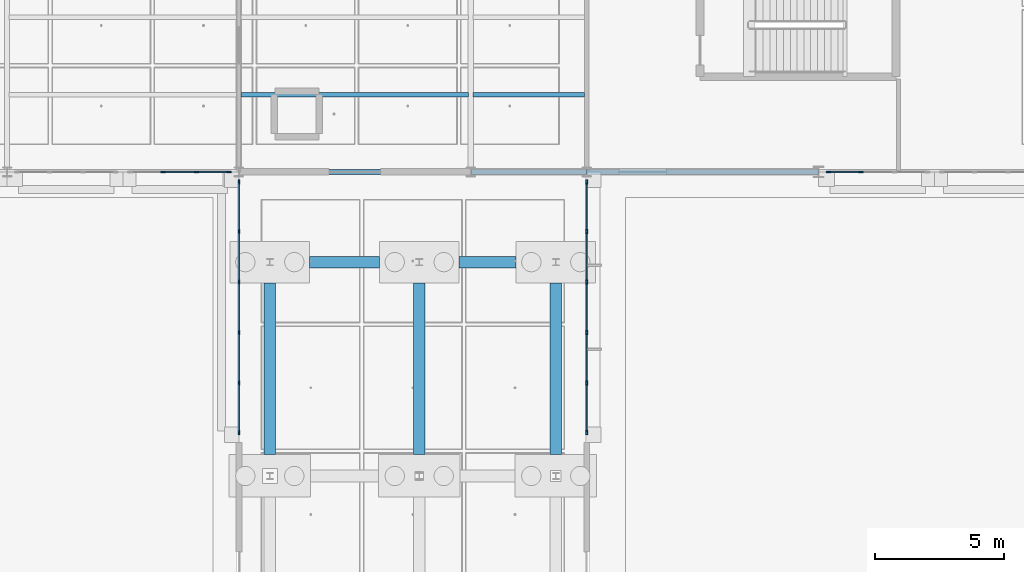
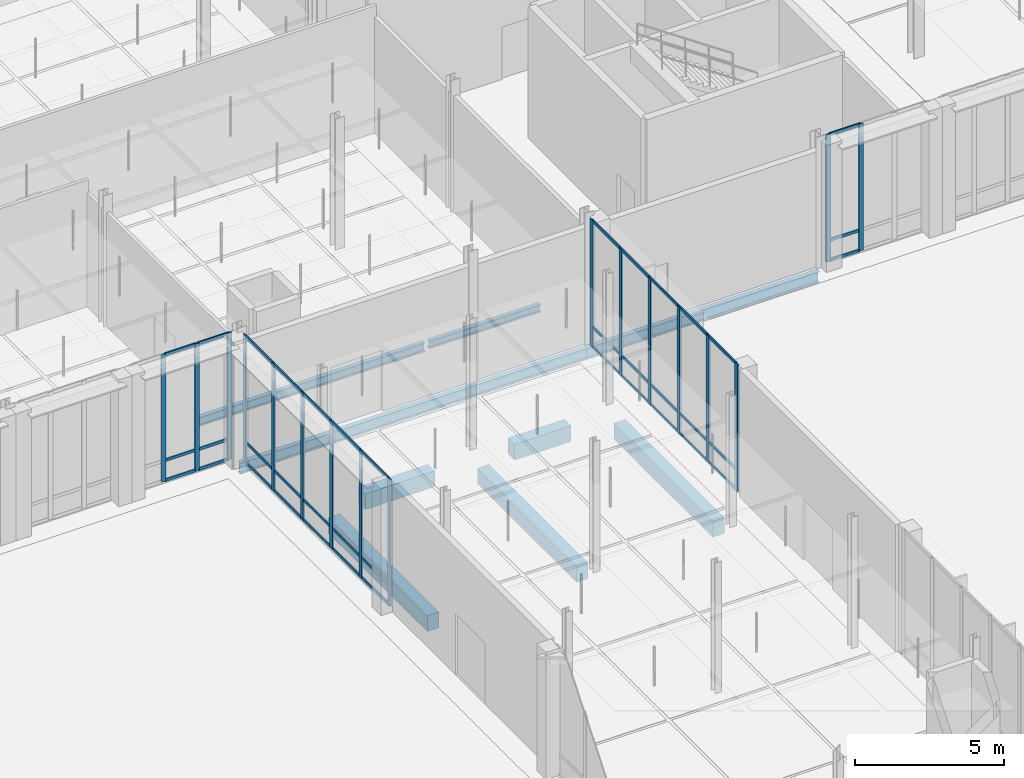
# One storey, part 57 of 180: 56 members, 10 beams, 4 elements without a shape of their own.
"""IFC4 building model written with IfcOpenShell, lengths in metres."""

from ifc_helpers import new_model, si_unit, direction, frame, origin, origin_2d, place, context, subcontext, project, spatial, rectangle, i_section, extrude, material, material_profile, profile_set, type_object, element, aggregate, save


model = new_model("IFC4")

# Units and contexts
model_context = context("Model", 3, precision=1e-05, world=origin(), true_north=direction((0.0, 1.0)))
body_context = subcontext(model_context, "Body", "Model", "MODEL_VIEW")
ifc_project = project(units=[si_unit("LENGTHUNIT", "METRE"), si_unit("AREAUNIT", "SQUARE_METRE"), si_unit("VOLUMEUNIT", "CUBIC_METRE"), si_unit("PLANEANGLEUNIT", "RADIAN"), si_unit("MASSUNIT", "GRAM", prefix="KILO"), si_unit("THERMODYNAMICTEMPERATUREUNIT", "KELVIN"), si_unit("POWERUNIT", "WATT")], contexts=[model_context])

# Site, building, storey
site_placement = place(None, origin())
site = spatial("IfcSite", under=ifc_project, at=site_placement, CompositionType="ELEMENT")
building_placement = place(site_placement, origin())
building = spatial("IfcBuilding", under=site, at=building_placement, Name="Tallowbark Science Centre", CompositionType="ELEMENT")
storey_placement = place(building_placement, origin())
storey = spatial("IfcBuildingStorey", under=building, at=storey_placement, Name="L00", CompositionType="ELEMENT", Elevation=0.0)

# Beams
ifc_material_1 = material(Name="Concrete Grade N40 (40 MPa)", Category="concrete")
ifc_material_profile_1 = material_profile(ifc_material_1, rectangle(XDim=0.449951171875, YDim=0.64990234375, at=origin_2d()), Name="RC450x650")
ifc_profile_set_1 = profile_set([ifc_material_profile_1], Name="Concrete Grade N40 (40 MPa)")
beam_type_1 = type_object("IfcBeamType", Name="BM-GB2-N40", PredefinedType="BEAM", material=ifc_profile_set_1)
beam_1_placement = place(storey_placement, frame((101.75, 68.5, -0.5849609375), z_axis=(1.0, 0.0, 0.0), x_axis=(0.0, 1.0, 0.0)))
element("IfcBeam", 1, at=beam_1_placement, inside=storey, type_object=beam_type_1, Name="Ground Tie Beam GBT-X-298", PredefinedType="BEAM", context=body_context, shape_type="SweptSolid", body=[
    extrude(rectangle(XDim=0.449951171875, YDim=0.64990234375, at=origin_2d()), origin(), (0.0, 0.0, 1.0), 2.699951171875),
])
beam_2_placement = place(storey_placement, frame((107.550048828125, 68.5, -0.5849609375), z_axis=(1.0, 0.0, 0.0), x_axis=(0.0, 1.0, 0.0)))
element("IfcBeam", 2, at=beam_2_placement, inside=storey, type_object=beam_type_1, Name="Ground Tie Beam GBT-X-299", PredefinedType="BEAM", context=body_context, shape_type="SweptSolid", body=[
    extrude(rectangle(XDim=0.449951171875, YDim=0.64990234375, at=origin_2d()), origin(), (0.0, 0.0, 1.0), 2.199951171875),
])
for number, where, z_axis, x_axis, name in (
    (3, (100.199951171875, 61.02490234375, -0.5849609375), (0.0, 1.0, 0.0), (-1.0, 0.0, 0.0), "Ground Tie Beam GBT-Y-349"),
    (4, (106.0, 61.02490234375, -0.5849609375), (0.0, 1.0, 0.0), (-1.0, 0.0, 0.0), "Ground Tie Beam GBT-Y-352"),
    (5, (111.300048828125, 61.02490234375, -0.5849609375), (0.0, 1.0, 0.0), (-1.0, 0.0, 0.0), "Ground Tie Beam GBT-Y-355"),
):
    element("IfcBeam", number, at=place(storey_placement, frame(where, z_axis=z_axis, x_axis=x_axis)), inside=storey, type_object=beam_type_1, Name=name, PredefinedType="BEAM", context=body_context, shape_type="SweptSolid", body=[
        extrude(rectangle(XDim=0.449951171875, YDim=0.64990234375, at=origin_2d()), origin(), (0.0, 0.0, 1.0), 6.675048828125),
    ])

# Curtain wall, members
ifc_material_2 = material(Name="Unitised Thermally Broken Aluminium and Low-E Double Glazing", Category="aluminium")
curtain_wall_type = type_object("IfcCurtainWallType", Name="CW-SYS-FACADE", PredefinedType="NOTDEFINED", material=ifc_material_2)
curtain_wall_1_placement = place(storey_placement, origin())
curtain_wall_1 = element("IfcCurtainWall", 6, at=curtain_wall_1_placement, inside=storey, type_object=curtain_wall_type, Name="Unitised Curtain Wall LNK-W-2 CW-L00-008", PredefinedType="NOTDEFINED")
ifc_material_3 = material(Name="Anodised Architectural Aluminium Alloy 6063-T6", Category="aluminium")
ifc_material_profile_2 = material_profile(ifc_material_3, rectangle(XDim=0.06494140625, YDim=0.179931640625, at=origin_2d()), Name="ALU65x180")
ifc_profile_set_2 = profile_set([ifc_material_profile_2], Name="Anodised Architectural Aluminium Alloy 6063-T6")
member_type_1 = type_object("IfcMemberType", Name="CWM-MUL-220", PredefinedType="MULLION", material=ifc_profile_set_2)
member_1_placement = place(storey_placement, frame((99.0, 71.617431640625, 0.0), z_axis=(0.0, 0.0, 1.0), x_axis=(1.0, 0.0, 0.0)))
member_1 = element("IfcMember", 7, at=member_1_placement, type_object=member_type_1, Name="CW-01 mullion 1", PredefinedType="MULLION", context=body_context, shape_type="SweptSolid", body=[
    extrude(rectangle(XDim=0.06494140625, YDim=0.179931640625, at=origin_2d()), origin(), (0.0, 0.0, 1.0), 5.219970703125),
])
member_2_placement = place(storey_placement, frame((99.0, 69.68994140625, 0.0), z_axis=(0.0, 0.0, 1.0), x_axis=(1.0, 0.0, 0.0)))
member_2 = element("IfcMember", 8, at=member_2_placement, type_object=member_type_1, Name="CW-01 mullion 2", PredefinedType="MULLION", context=body_context, shape_type="SweptSolid", body=[
    extrude(rectangle(XDim=0.06494140625, YDim=0.179931640625, at=origin_2d()), origin(), (0.0, 0.0, 1.0), 5.219970703125),
])
member_3_placement = place(storey_placement, frame((99.0, 67.72998046875, 0.0), z_axis=(0.0, 0.0, 1.0), x_axis=(1.0, 0.0, 0.0)))
member_3 = element("IfcMember", 9, at=member_3_placement, type_object=member_type_1, Name="CW-01 mullion 3", PredefinedType="MULLION", context=body_context, shape_type="SweptSolid", body=[
    extrude(rectangle(XDim=0.06494140625, YDim=0.179931640625, at=origin_2d()), origin(), (0.0, 0.0, 1.0), 5.219970703125),
])
member_4_placement = place(storey_placement, frame((99.0, 65.77001953125, 0.0), z_axis=(0.0, 0.0, 1.0), x_axis=(1.0, 0.0, 0.0)))
member_4 = element("IfcMember", 10, at=member_4_placement, type_object=member_type_1, Name="CW-01 mullion 4", PredefinedType="MULLION", context=body_context, shape_type="SweptSolid", body=[
    extrude(rectangle(XDim=0.06494140625, YDim=0.179931640625, at=origin_2d()), origin(), (0.0, 0.0, 1.0), 5.219970703125),
])
member_5_placement = place(storey_placement, frame((99.0, 63.81005859375, 0.0), z_axis=(0.0, 0.0, 1.0), x_axis=(1.0, 0.0, 0.0)))
member_5 = element("IfcMember", 11, at=member_5_placement, type_object=member_type_1, Name="CW-01 mullion 5", PredefinedType="MULLION", context=body_context, shape_type="SweptSolid", body=[
    extrude(rectangle(XDim=0.06494140625, YDim=0.179931640625, at=origin_2d()), origin(), (0.0, 0.0, 1.0), 5.219970703125),
])
member_6_placement = place(storey_placement, frame((99.0, 61.882568359375, 0.0), z_axis=(0.0, 0.0, 1.0), x_axis=(1.0, 0.0, 0.0)))
member_6 = element("IfcMember", 12, at=member_6_placement, type_object=member_type_1, Name="CW-01 mullion 6", PredefinedType="MULLION", context=body_context, shape_type="SweptSolid", body=[
    extrude(rectangle(XDim=0.06494140625, YDim=0.179931640625, at=origin_2d()), origin(), (0.0, 0.0, 1.0), 5.219970703125),
])

curtain_wall_2_placement = place(storey_placement, origin())
curtain_wall_2 = element("IfcCurtainWall", 13, at=curtain_wall_2_placement, inside=storey, type_object=curtain_wall_type, Name="Unitised Curtain Wall LNK-E-2 CW-L00-009", PredefinedType="NOTDEFINED")
member_7_placement = place(storey_placement, frame((112.5, 61.882568359375, 0.0), z_axis=(0.0, 0.0, 1.0), x_axis=(-1.0, 0.0, 0.0)))
member_7 = element("IfcMember", 14, at=member_7_placement, type_object=member_type_1, Name="CW-01 mullion 1", PredefinedType="MULLION", context=body_context, shape_type="SweptSolid", body=[
    extrude(rectangle(XDim=0.06494140625, YDim=0.179931640625, at=origin_2d()), origin(), (0.0, 0.0, 1.0), 5.219970703125),
])
member_8_placement = place(storey_placement, frame((112.5, 63.81005859375, 0.0), z_axis=(0.0, 0.0, 1.0), x_axis=(-1.0, 0.0, 0.0)))
member_8 = element("IfcMember", 15, at=member_8_placement, type_object=member_type_1, Name="CW-01 mullion 2", PredefinedType="MULLION", context=body_context, shape_type="SweptSolid", body=[
    extrude(rectangle(XDim=0.06494140625, YDim=0.179931640625, at=origin_2d()), origin(), (0.0, 0.0, 1.0), 5.219970703125),
])
member_9_placement = place(storey_placement, frame((112.5, 65.77001953125, 0.0), z_axis=(0.0, 0.0, 1.0), x_axis=(-1.0, 0.0, 0.0)))
member_9 = element("IfcMember", 16, at=member_9_placement, type_object=member_type_1, Name="CW-01 mullion 3", PredefinedType="MULLION", context=body_context, shape_type="SweptSolid", body=[
    extrude(rectangle(XDim=0.06494140625, YDim=0.179931640625, at=origin_2d()), origin(), (0.0, 0.0, 1.0), 5.219970703125),
])
member_10_placement = place(storey_placement, frame((112.5, 67.72998046875, 0.0), z_axis=(0.0, 0.0, 1.0), x_axis=(-1.0, 0.0, 0.0)))
member_10 = element("IfcMember", 17, at=member_10_placement, type_object=member_type_1, Name="CW-01 mullion 4", PredefinedType="MULLION", context=body_context, shape_type="SweptSolid", body=[
    extrude(rectangle(XDim=0.06494140625, YDim=0.179931640625, at=origin_2d()), origin(), (0.0, 0.0, 1.0), 5.219970703125),
])
member_11_placement = place(storey_placement, frame((112.5, 69.68994140625, 0.0), z_axis=(0.0, 0.0, 1.0), x_axis=(-1.0, 0.0, 0.0)))
member_11 = element("IfcMember", 18, at=member_11_placement, type_object=member_type_1, Name="CW-01 mullion 5", PredefinedType="MULLION", context=body_context, shape_type="SweptSolid", body=[
    extrude(rectangle(XDim=0.06494140625, YDim=0.179931640625, at=origin_2d()), origin(), (0.0, 0.0, 1.0), 5.219970703125),
])
member_12_placement = place(storey_placement, frame((112.5, 71.617431640625, 0.0), z_axis=(0.0, 0.0, 1.0), x_axis=(-1.0, 0.0, 0.0)))
member_12 = element("IfcMember", 19, at=member_12_placement, type_object=member_type_1, Name="CW-01 mullion 6", PredefinedType="MULLION", context=body_context, shape_type="SweptSolid", body=[
    extrude(rectangle(XDim=0.06494140625, YDim=0.179931640625, at=origin_2d()), origin(), (0.0, 0.0, 1.0), 5.219970703125),
])

curtain_wall_3_placement = place(storey_placement, origin())
curtain_wall_3 = element("IfcCurtainWall", 20, at=curtain_wall_3_placement, inside=storey, type_object=curtain_wall_type, Name="Unitised Curtain Wall LAB-S-90B CW-L00-027", PredefinedType="NOTDEFINED")
member_13_placement = place(storey_placement, frame((96.050048828125, 72.0, 0.0), z_axis=(0.0, 0.0, 1.0), x_axis=(0.0, 1.0, 0.0)))
member_13 = element("IfcMember", 21, at=member_13_placement, type_object=member_type_1, Name="CW-01 mullion 2", PredefinedType="MULLION", context=body_context, shape_type="SweptSolid", body=[
    extrude(rectangle(XDim=0.06494140625, YDim=0.179931640625, at=origin_2d()), origin(), (0.0, 0.0, 1.0), 5.219970703125),
])
member_14_placement = place(storey_placement, frame((97.35009765625, 72.0, 0.0), z_axis=(0.0, 0.0, 1.0), x_axis=(0.0, 1.0, 0.0)))
member_14 = element("IfcMember", 22, at=member_14_placement, type_object=member_type_1, Name="CW-01 mullion 3", PredefinedType="MULLION", context=body_context, shape_type="SweptSolid", body=[
    extrude(rectangle(XDim=0.06494140625, YDim=0.179931640625, at=origin_2d()), origin(), (0.0, 0.0, 1.0), 5.219970703125),
])
member_15_placement = place(storey_placement, frame((98.617431640625, 72.0, 0.0), z_axis=(0.0, 0.0, 1.0), x_axis=(0.0, 1.0, 0.0)))
member_15 = element("IfcMember", 23, at=member_15_placement, type_object=member_type_1, Name="CW-01 mullion 4", PredefinedType="MULLION", context=body_context, shape_type="SweptSolid", body=[
    extrude(rectangle(XDim=0.06494140625, YDim=0.179931640625, at=origin_2d()), origin(), (0.0, 0.0, 1.0), 5.219970703125),
])

curtain_wall_4_placement = place(storey_placement, origin())
curtain_wall_4 = element("IfcCurtainWall", 24, at=curtain_wall_4_placement, inside=storey, type_object=curtain_wall_type, Name="Unitised Curtain Wall OBS-S-121A CW-L00-092", PredefinedType="NOTDEFINED")
member_16_placement = place(storey_placement, frame((121.882568359375, 72.0, 0.0), z_axis=(0.0, 0.0, 1.0), x_axis=(0.0, 1.0, 0.0)))
member_16 = element("IfcMember", 25, at=member_16_placement, type_object=member_type_1, Name="CW-01 mullion 1", PredefinedType="MULLION", context=body_context, shape_type="SweptSolid", body=[
    extrude(rectangle(XDim=0.06494140625, YDim=0.179931640625, at=origin_2d()), origin(), (0.0, 0.0, 1.0), 5.219970703125),
])
member_17_placement = place(storey_placement, frame((123.14990234375, 72.0, 0.0), z_axis=(0.0, 0.0, 1.0), x_axis=(0.0, 1.0, 0.0)))
member_17 = element("IfcMember", 26, at=member_17_placement, type_object=member_type_1, Name="CW-01 mullion 2", PredefinedType="MULLION", context=body_context, shape_type="SweptSolid", body=[
    extrude(rectangle(XDim=0.06494140625, YDim=0.179931640625, at=origin_2d()), origin(), (0.0, 0.0, 1.0), 5.219970703125),
])

# Member
ifc_material_profile_3 = material_profile(ifc_material_3, rectangle(XDim=0.054931640625, YDim=0.1201171875, at=origin_2d()), Name="ALU55x120")
ifc_profile_set_3 = profile_set([ifc_material_profile_3], Name="Anodised Architectural Aluminium Alloy 6063-T6")
member_type_2 = type_object("IfcMemberType", Name="CWM-TRN-150", PredefinedType="USERDEFINED", material=ifc_profile_set_3)
member_18_placement = place(storey_placement, frame((99.0, 71.5849609375, 0.027587890625), z_axis=(0.0, -1.0, 0.0), x_axis=(1.0, 0.0, 0.0)))
member_18 = element("IfcMember", 27, at=member_18_placement, type_object=member_type_2, Name="CW-01 transom 1.1", ObjectType="TRANSOM", PredefinedType="USERDEFINED", context=body_context, shape_type="SweptSolid", body=[
    extrude(rectangle(XDim=0.054931640625, YDim=0.1201171875, at=origin_2d()), origin(), (0.0, 0.0, 1.0), 1.862548828125),
])

member_19_placement = place(storey_placement, frame((99.0, 71.5849609375, 0.85009765625), z_axis=(0.0, -1.0, 0.0), x_axis=(1.0, 0.0, 0.0)))
member_19 = element("IfcMember", 28, at=member_19_placement, type_object=member_type_2, Name="CW-01 transom 1.2", ObjectType="TRANSOM", PredefinedType="USERDEFINED", context=body_context, shape_type="SweptSolid", body=[
    extrude(rectangle(XDim=0.054931640625, YDim=0.1201171875, at=origin_2d()), origin(), (0.0, 0.0, 1.0), 1.862548828125),
])

member_20_placement = place(storey_placement, frame((99.0, 71.5849609375, 5.1923828125), z_axis=(0.0, -1.0, 0.0), x_axis=(1.0, 0.0, 0.0)))
member_20 = element("IfcMember", 29, at=member_20_placement, type_object=member_type_2, Name="CW-01 transom 1.3", ObjectType="TRANSOM", PredefinedType="USERDEFINED", context=body_context, shape_type="SweptSolid", body=[
    extrude(rectangle(XDim=0.054931640625, YDim=0.1201171875, at=origin_2d()), origin(), (0.0, 0.0, 1.0), 1.862548828125),
])

member_21_placement = place(storey_placement, frame((99.0, 69.657470703125, 0.027587890625), z_axis=(0.0, -1.0, 0.0), x_axis=(1.0, 0.0, 0.0)))
member_21 = element("IfcMember", 30, at=member_21_placement, type_object=member_type_2, Name="CW-01 transom 2.1", ObjectType="TRANSOM", PredefinedType="USERDEFINED", context=body_context, shape_type="SweptSolid", body=[
    extrude(rectangle(XDim=0.054931640625, YDim=0.1201171875, at=origin_2d()), origin(), (0.0, 0.0, 1.0), 1.89501953125),
])

member_22_placement = place(storey_placement, frame((99.0, 69.657470703125, 0.85009765625), z_axis=(0.0, -1.0, 0.0), x_axis=(1.0, 0.0, 0.0)))
member_22 = element("IfcMember", 31, at=member_22_placement, type_object=member_type_2, Name="CW-01 transom 2.2", ObjectType="TRANSOM", PredefinedType="USERDEFINED", context=body_context, shape_type="SweptSolid", body=[
    extrude(rectangle(XDim=0.054931640625, YDim=0.1201171875, at=origin_2d()), origin(), (0.0, 0.0, 1.0), 1.89501953125),
])

member_23_placement = place(storey_placement, frame((99.0, 69.657470703125, 5.1923828125), z_axis=(0.0, -1.0, 0.0), x_axis=(1.0, 0.0, 0.0)))
member_23 = element("IfcMember", 32, at=member_23_placement, type_object=member_type_2, Name="CW-01 transom 2.3", ObjectType="TRANSOM", PredefinedType="USERDEFINED", context=body_context, shape_type="SweptSolid", body=[
    extrude(rectangle(XDim=0.054931640625, YDim=0.1201171875, at=origin_2d()), origin(), (0.0, 0.0, 1.0), 1.89501953125),
])

member_24_placement = place(storey_placement, frame((99.0, 67.697509765625, 0.027587890625), z_axis=(0.0, -1.0, 0.0), x_axis=(1.0, 0.0, 0.0)))
member_24 = element("IfcMember", 33, at=member_24_placement, type_object=member_type_2, Name="CW-01 transom 3.1", ObjectType="TRANSOM", PredefinedType="USERDEFINED", context=body_context, shape_type="SweptSolid", body=[
    extrude(rectangle(XDim=0.054931640625, YDim=0.1201171875, at=origin_2d()), origin(), (0.0, 0.0, 1.0), 1.89501953125),
])

member_25_placement = place(storey_placement, frame((99.0, 67.697509765625, 0.85009765625), z_axis=(0.0, -1.0, 0.0), x_axis=(1.0, 0.0, 0.0)))
member_25 = element("IfcMember", 34, at=member_25_placement, type_object=member_type_2, Name="CW-01 transom 3.2", ObjectType="TRANSOM", PredefinedType="USERDEFINED", context=body_context, shape_type="SweptSolid", body=[
    extrude(rectangle(XDim=0.054931640625, YDim=0.1201171875, at=origin_2d()), origin(), (0.0, 0.0, 1.0), 1.89501953125),
])

member_26_placement = place(storey_placement, frame((99.0, 67.697509765625, 5.1923828125), z_axis=(0.0, -1.0, 0.0), x_axis=(1.0, 0.0, 0.0)))
member_26 = element("IfcMember", 35, at=member_26_placement, type_object=member_type_2, Name="CW-01 transom 3.3", ObjectType="TRANSOM", PredefinedType="USERDEFINED", context=body_context, shape_type="SweptSolid", body=[
    extrude(rectangle(XDim=0.054931640625, YDim=0.1201171875, at=origin_2d()), origin(), (0.0, 0.0, 1.0), 1.89501953125),
])

member_27_placement = place(storey_placement, frame((99.0, 65.737548828125, 0.027587890625), z_axis=(0.0, -1.0, 0.0), x_axis=(1.0, 0.0, 0.0)))
member_27 = element("IfcMember", 36, at=member_27_placement, type_object=member_type_2, Name="CW-01 transom 4.1", ObjectType="TRANSOM", PredefinedType="USERDEFINED", context=body_context, shape_type="SweptSolid", body=[
    extrude(rectangle(XDim=0.054931640625, YDim=0.1201171875, at=origin_2d()), origin(), (0.0, 0.0, 1.0), 1.89501953125),
])

member_28_placement = place(storey_placement, frame((99.0, 65.737548828125, 0.85009765625), z_axis=(0.0, -1.0, 0.0), x_axis=(1.0, 0.0, 0.0)))
member_28 = element("IfcMember", 37, at=member_28_placement, type_object=member_type_2, Name="CW-01 transom 4.2", ObjectType="TRANSOM", PredefinedType="USERDEFINED", context=body_context, shape_type="SweptSolid", body=[
    extrude(rectangle(XDim=0.054931640625, YDim=0.1201171875, at=origin_2d()), origin(), (0.0, 0.0, 1.0), 1.89501953125),
])

member_29_placement = place(storey_placement, frame((99.0, 65.737548828125, 5.1923828125), z_axis=(0.0, -1.0, 0.0), x_axis=(1.0, 0.0, 0.0)))
member_29 = element("IfcMember", 38, at=member_29_placement, type_object=member_type_2, Name="CW-01 transom 4.3", ObjectType="TRANSOM", PredefinedType="USERDEFINED", context=body_context, shape_type="SweptSolid", body=[
    extrude(rectangle(XDim=0.054931640625, YDim=0.1201171875, at=origin_2d()), origin(), (0.0, 0.0, 1.0), 1.89501953125),
])

member_30_placement = place(storey_placement, frame((99.0, 63.777587890625, 0.027587890625), z_axis=(0.0, -1.0, 0.0), x_axis=(1.0, 0.0, 0.0)))
member_30 = element("IfcMember", 39, at=member_30_placement, type_object=member_type_2, Name="CW-01 transom 5.1", ObjectType="TRANSOM", PredefinedType="USERDEFINED", context=body_context, shape_type="SweptSolid", body=[
    extrude(rectangle(XDim=0.054931640625, YDim=0.1201171875, at=origin_2d()), origin(), (0.0, 0.0, 1.0), 1.862548828125),
])

member_31_placement = place(storey_placement, frame((99.0, 63.777587890625, 0.85009765625), z_axis=(0.0, -1.0, 0.0), x_axis=(1.0, 0.0, 0.0)))
member_31 = element("IfcMember", 40, at=member_31_placement, type_object=member_type_2, Name="CW-01 transom 5.2", ObjectType="TRANSOM", PredefinedType="USERDEFINED", context=body_context, shape_type="SweptSolid", body=[
    extrude(rectangle(XDim=0.054931640625, YDim=0.1201171875, at=origin_2d()), origin(), (0.0, 0.0, 1.0), 1.862548828125),
])

member_32_placement = place(storey_placement, frame((99.0, 63.777587890625, 5.1923828125), z_axis=(0.0, -1.0, 0.0), x_axis=(1.0, 0.0, 0.0)))
member_32 = element("IfcMember", 41, at=member_32_placement, type_object=member_type_2, Name="CW-01 transom 5.3", ObjectType="TRANSOM", PredefinedType="USERDEFINED", context=body_context, shape_type="SweptSolid", body=[
    extrude(rectangle(XDim=0.054931640625, YDim=0.1201171875, at=origin_2d()), origin(), (0.0, 0.0, 1.0), 1.862548828125),
])

aggregate(curtain_wall_1, [member_1, member_2, member_3, member_4, member_5, member_6, member_18, member_19, member_20, member_21, member_22, member_23, member_24, member_25, member_26, member_27, member_28, member_29, member_30, member_31, member_32])

member_33_placement = place(storey_placement, frame((112.5, 61.9150390625, 0.027587890625), z_axis=(0.0, 1.0, 0.0), x_axis=(-1.0, 0.0, 0.0)))
member_33 = element("IfcMember", 42, at=member_33_placement, type_object=member_type_2, Name="CW-01 transom 1.1", ObjectType="TRANSOM", PredefinedType="USERDEFINED", context=body_context, shape_type="SweptSolid", body=[
    extrude(rectangle(XDim=0.054931640625, YDim=0.1201171875, at=origin_2d()), origin(), (0.0, 0.0, 1.0), 1.862548828125),
])

member_34_placement = place(storey_placement, frame((112.5, 61.9150390625, 0.85009765625), z_axis=(0.0, 1.0, 0.0), x_axis=(-1.0, 0.0, 0.0)))
member_34 = element("IfcMember", 43, at=member_34_placement, type_object=member_type_2, Name="CW-01 transom 1.2", ObjectType="TRANSOM", PredefinedType="USERDEFINED", context=body_context, shape_type="SweptSolid", body=[
    extrude(rectangle(XDim=0.054931640625, YDim=0.1201171875, at=origin_2d()), origin(), (0.0, 0.0, 1.0), 1.862548828125),
])

member_35_placement = place(storey_placement, frame((112.5, 61.9150390625, 5.1923828125), z_axis=(0.0, 1.0, 0.0), x_axis=(-1.0, 0.0, 0.0)))
member_35 = element("IfcMember", 44, at=member_35_placement, type_object=member_type_2, Name="CW-01 transom 1.3", ObjectType="TRANSOM", PredefinedType="USERDEFINED", context=body_context, shape_type="SweptSolid", body=[
    extrude(rectangle(XDim=0.054931640625, YDim=0.1201171875, at=origin_2d()), origin(), (0.0, 0.0, 1.0), 1.862548828125),
])

member_36_placement = place(storey_placement, frame((112.5, 63.842529296875, 0.027587890625), z_axis=(0.0, 1.0, 0.0), x_axis=(-1.0, 0.0, 0.0)))
member_36 = element("IfcMember", 45, at=member_36_placement, type_object=member_type_2, Name="CW-01 transom 2.1", ObjectType="TRANSOM", PredefinedType="USERDEFINED", context=body_context, shape_type="SweptSolid", body=[
    extrude(rectangle(XDim=0.054931640625, YDim=0.1201171875, at=origin_2d()), origin(), (0.0, 0.0, 1.0), 1.89501953125),
])

member_37_placement = place(storey_placement, frame((112.5, 63.842529296875, 0.85009765625), z_axis=(0.0, 1.0, 0.0), x_axis=(-1.0, 0.0, 0.0)))
member_37 = element("IfcMember", 46, at=member_37_placement, type_object=member_type_2, Name="CW-01 transom 2.2", ObjectType="TRANSOM", PredefinedType="USERDEFINED", context=body_context, shape_type="SweptSolid", body=[
    extrude(rectangle(XDim=0.054931640625, YDim=0.1201171875, at=origin_2d()), origin(), (0.0, 0.0, 1.0), 1.89501953125),
])

member_38_placement = place(storey_placement, frame((112.5, 63.842529296875, 5.1923828125), z_axis=(0.0, 1.0, 0.0), x_axis=(-1.0, 0.0, 0.0)))
member_38 = element("IfcMember", 47, at=member_38_placement, type_object=member_type_2, Name="CW-01 transom 2.3", ObjectType="TRANSOM", PredefinedType="USERDEFINED", context=body_context, shape_type="SweptSolid", body=[
    extrude(rectangle(XDim=0.054931640625, YDim=0.1201171875, at=origin_2d()), origin(), (0.0, 0.0, 1.0), 1.89501953125),
])

member_39_placement = place(storey_placement, frame((112.5, 65.802490234375, 0.027587890625), z_axis=(0.0, 1.0, 0.0), x_axis=(-1.0, 0.0, 0.0)))
member_39 = element("IfcMember", 48, at=member_39_placement, type_object=member_type_2, Name="CW-01 transom 3.1", ObjectType="TRANSOM", PredefinedType="USERDEFINED", context=body_context, shape_type="SweptSolid", body=[
    extrude(rectangle(XDim=0.054931640625, YDim=0.1201171875, at=origin_2d()), origin(), (0.0, 0.0, 1.0), 1.89501953125),
])

member_40_placement = place(storey_placement, frame((112.5, 65.802490234375, 0.85009765625), z_axis=(0.0, 1.0, 0.0), x_axis=(-1.0, 0.0, 0.0)))
member_40 = element("IfcMember", 49, at=member_40_placement, type_object=member_type_2, Name="CW-01 transom 3.2", ObjectType="TRANSOM", PredefinedType="USERDEFINED", context=body_context, shape_type="SweptSolid", body=[
    extrude(rectangle(XDim=0.054931640625, YDim=0.1201171875, at=origin_2d()), origin(), (0.0, 0.0, 1.0), 1.89501953125),
])

member_41_placement = place(storey_placement, frame((112.5, 65.802490234375, 5.1923828125), z_axis=(0.0, 1.0, 0.0), x_axis=(-1.0, 0.0, 0.0)))
member_41 = element("IfcMember", 50, at=member_41_placement, type_object=member_type_2, Name="CW-01 transom 3.3", ObjectType="TRANSOM", PredefinedType="USERDEFINED", context=body_context, shape_type="SweptSolid", body=[
    extrude(rectangle(XDim=0.054931640625, YDim=0.1201171875, at=origin_2d()), origin(), (0.0, 0.0, 1.0), 1.89501953125),
])

member_42_placement = place(storey_placement, frame((112.5, 67.762451171875, 0.027587890625), z_axis=(0.0, 1.0, 0.0), x_axis=(-1.0, 0.0, 0.0)))
member_42 = element("IfcMember", 51, at=member_42_placement, type_object=member_type_2, Name="CW-01 transom 4.1", ObjectType="TRANSOM", PredefinedType="USERDEFINED", context=body_context, shape_type="SweptSolid", body=[
    extrude(rectangle(XDim=0.054931640625, YDim=0.1201171875, at=origin_2d()), origin(), (0.0, 0.0, 1.0), 1.89501953125),
])

member_43_placement = place(storey_placement, frame((112.5, 67.762451171875, 0.85009765625), z_axis=(0.0, 1.0, 0.0), x_axis=(-1.0, 0.0, 0.0)))
member_43 = element("IfcMember", 52, at=member_43_placement, type_object=member_type_2, Name="CW-01 transom 4.2", ObjectType="TRANSOM", PredefinedType="USERDEFINED", context=body_context, shape_type="SweptSolid", body=[
    extrude(rectangle(XDim=0.054931640625, YDim=0.1201171875, at=origin_2d()), origin(), (0.0, 0.0, 1.0), 1.89501953125),
])

member_44_placement = place(storey_placement, frame((112.5, 67.762451171875, 5.1923828125), z_axis=(0.0, 1.0, 0.0), x_axis=(-1.0, 0.0, 0.0)))
member_44 = element("IfcMember", 53, at=member_44_placement, type_object=member_type_2, Name="CW-01 transom 4.3", ObjectType="TRANSOM", PredefinedType="USERDEFINED", context=body_context, shape_type="SweptSolid", body=[
    extrude(rectangle(XDim=0.054931640625, YDim=0.1201171875, at=origin_2d()), origin(), (0.0, 0.0, 1.0), 1.89501953125),
])

member_45_placement = place(storey_placement, frame((112.5, 69.722412109375, 0.027587890625), z_axis=(0.0, 1.0, 0.0), x_axis=(-1.0, 0.0, 0.0)))
member_45 = element("IfcMember", 54, at=member_45_placement, type_object=member_type_2, Name="CW-01 transom 5.1", ObjectType="TRANSOM", PredefinedType="USERDEFINED", context=body_context, shape_type="SweptSolid", body=[
    extrude(rectangle(XDim=0.054931640625, YDim=0.1201171875, at=origin_2d()), origin(), (0.0, 0.0, 1.0), 1.862548828125),
])

member_46_placement = place(storey_placement, frame((112.5, 69.722412109375, 0.85009765625), z_axis=(0.0, 1.0, 0.0), x_axis=(-1.0, 0.0, 0.0)))
member_46 = element("IfcMember", 55, at=member_46_placement, type_object=member_type_2, Name="CW-01 transom 5.2", ObjectType="TRANSOM", PredefinedType="USERDEFINED", context=body_context, shape_type="SweptSolid", body=[
    extrude(rectangle(XDim=0.054931640625, YDim=0.1201171875, at=origin_2d()), origin(), (0.0, 0.0, 1.0), 1.862548828125),
])

member_47_placement = place(storey_placement, frame((112.5, 69.722412109375, 5.1923828125), z_axis=(0.0, 1.0, 0.0), x_axis=(-1.0, 0.0, 0.0)))
member_47 = element("IfcMember", 56, at=member_47_placement, type_object=member_type_2, Name="CW-01 transom 5.3", ObjectType="TRANSOM", PredefinedType="USERDEFINED", context=body_context, shape_type="SweptSolid", body=[
    extrude(rectangle(XDim=0.054931640625, YDim=0.1201171875, at=origin_2d()), origin(), (0.0, 0.0, 1.0), 1.862548828125),
])

aggregate(curtain_wall_2, [member_7, member_8, member_9, member_10, member_11, member_12, member_33, member_34, member_35, member_36, member_37, member_38, member_39, member_40, member_41, member_42, member_43, member_44, member_45, member_46, member_47])

member_48_placement = place(storey_placement, frame((96.08251953125, 72.0, 0.027587890625), z_axis=(1.0, 0.0, 0.0), x_axis=(0.0, 1.0, 0.0)))
member_48 = element("IfcMember", 57, at=member_48_placement, type_object=member_type_2, Name="CW-01 transom 2.1", ObjectType="TRANSOM", PredefinedType="USERDEFINED", context=body_context, shape_type="SweptSolid", body=[
    extrude(rectangle(XDim=0.054931640625, YDim=0.1201171875, at=origin_2d()), origin(), (0.0, 0.0, 1.0), 1.23486328125),
])

member_49_placement = place(storey_placement, frame((96.08251953125, 72.0, 0.85009765625), z_axis=(1.0, 0.0, 0.0), x_axis=(0.0, 1.0, 0.0)))
member_49 = element("IfcMember", 58, at=member_49_placement, type_object=member_type_2, Name="CW-01 transom 2.2", ObjectType="TRANSOM", PredefinedType="USERDEFINED", context=body_context, shape_type="SweptSolid", body=[
    extrude(rectangle(XDim=0.054931640625, YDim=0.1201171875, at=origin_2d()), origin(), (0.0, 0.0, 1.0), 1.23486328125),
])

member_50_placement = place(storey_placement, frame((96.08251953125, 72.0, 5.1923828125), z_axis=(1.0, 0.0, 0.0), x_axis=(0.0, 1.0, 0.0)))
member_50 = element("IfcMember", 59, at=member_50_placement, type_object=member_type_2, Name="CW-01 transom 2.3", ObjectType="TRANSOM", PredefinedType="USERDEFINED", context=body_context, shape_type="SweptSolid", body=[
    extrude(rectangle(XDim=0.054931640625, YDim=0.1201171875, at=origin_2d()), origin(), (0.0, 0.0, 1.0), 1.23486328125),
])

member_51_placement = place(storey_placement, frame((97.382568359375, 72.0, 0.027587890625), z_axis=(1.0, 0.0, 0.0), x_axis=(0.0, 1.0, 0.0)))
member_51 = element("IfcMember", 60, at=member_51_placement, type_object=member_type_2, Name="CW-01 transom 3.1", ObjectType="TRANSOM", PredefinedType="USERDEFINED", context=body_context, shape_type="SweptSolid", body=[
    extrude(rectangle(XDim=0.054931640625, YDim=0.1201171875, at=origin_2d()), origin(), (0.0, 0.0, 1.0), 1.202392578125),
])

member_52_placement = place(storey_placement, frame((97.382568359375, 72.0, 0.85009765625), z_axis=(1.0, 0.0, 0.0), x_axis=(0.0, 1.0, 0.0)))
member_52 = element("IfcMember", 61, at=member_52_placement, type_object=member_type_2, Name="CW-01 transom 3.2", ObjectType="TRANSOM", PredefinedType="USERDEFINED", context=body_context, shape_type="SweptSolid", body=[
    extrude(rectangle(XDim=0.054931640625, YDim=0.1201171875, at=origin_2d()), origin(), (0.0, 0.0, 1.0), 1.202392578125),
])

member_53_placement = place(storey_placement, frame((97.382568359375, 72.0, 5.1923828125), z_axis=(1.0, 0.0, 0.0), x_axis=(0.0, 1.0, 0.0)))
member_53 = element("IfcMember", 62, at=member_53_placement, type_object=member_type_2, Name="CW-01 transom 3.3", ObjectType="TRANSOM", PredefinedType="USERDEFINED", context=body_context, shape_type="SweptSolid", body=[
    extrude(rectangle(XDim=0.054931640625, YDim=0.1201171875, at=origin_2d()), origin(), (0.0, 0.0, 1.0), 1.202392578125),
])

aggregate(curtain_wall_3, [member_13, member_14, member_15, member_48, member_49, member_50, member_51, member_52, member_53])

member_54_placement = place(storey_placement, frame((121.9150390625, 72.0, 0.027587890625), z_axis=(1.0, 0.0, 0.0), x_axis=(0.0, 1.0, 0.0)))
member_54 = element("IfcMember", 63, at=member_54_placement, type_object=member_type_2, Name="CW-01 transom 1.1", ObjectType="TRANSOM", PredefinedType="USERDEFINED", context=body_context, shape_type="SweptSolid", body=[
    extrude(rectangle(XDim=0.054931640625, YDim=0.1201171875, at=origin_2d()), origin(), (0.0, 0.0, 1.0), 1.202392578125),
])

member_55_placement = place(storey_placement, frame((121.9150390625, 72.0, 0.85009765625), z_axis=(1.0, 0.0, 0.0), x_axis=(0.0, 1.0, 0.0)))
member_55 = element("IfcMember", 64, at=member_55_placement, type_object=member_type_2, Name="CW-01 transom 1.2", ObjectType="TRANSOM", PredefinedType="USERDEFINED", context=body_context, shape_type="SweptSolid", body=[
    extrude(rectangle(XDim=0.054931640625, YDim=0.1201171875, at=origin_2d()), origin(), (0.0, 0.0, 1.0), 1.202392578125),
])

member_56_placement = place(storey_placement, frame((121.9150390625, 72.0, 5.1923828125), z_axis=(1.0, 0.0, 0.0), x_axis=(0.0, 1.0, 0.0)))
member_56 = element("IfcMember", 65, at=member_56_placement, type_object=member_type_2, Name="CW-01 transom 1.3", ObjectType="TRANSOM", PredefinedType="USERDEFINED", context=body_context, shape_type="SweptSolid", body=[
    extrude(rectangle(XDim=0.054931640625, YDim=0.1201171875, at=origin_2d()), origin(), (0.0, 0.0, 1.0), 1.202392578125),
])

aggregate(curtain_wall_4, [member_16, member_17, member_54, member_55, member_56])

# Beams
ifc_material_4 = material(Name="Structural Steel Grade 300PLUS (300 MPa)", Category="steel")
ifc_material_profile_4 = material_profile(ifc_material_4, i_section(OverallWidth=0.166015625, OverallDepth=0.30712890625, WebThickness=0.006591796875, FlangeThickness=0.01171875, FilletRadius=0.011474609375, at=origin_2d()), Name="310UB46.2")
ifc_profile_set_4 = profile_set([ifc_material_profile_4], Name="Structural Steel Grade 300PLUS (300 MPa)")
beam_type_2 = type_object("IfcBeamType", Name="JST-UB310", PredefinedType="JOIST", material=ifc_profile_set_4)
beam_3_placement = place(storey_placement, frame((108.0849609375, 75.0, -0.3935546875), z_axis=(1.0, 0.0, 0.0), x_axis=(0.0, 1.0, 0.0)))
element("IfcBeam", 66, at=beam_3_placement, inside=storey, type_object=beam_type_2, Name="Composite Floor Joist JSTX-L00-1080-750", PredefinedType="JOIST", context=body_context, shape_type="SweptSolid", body=[
    extrude(i_section(OverallWidth=0.166015625, OverallDepth=0.30712890625, WebThickness=0.006591796875, FlangeThickness=0.01171875, FilletRadius=0.011474609375, at=origin_2d()), origin(), (0.0, 0.0, 1.0), 4.330078125),
])
ifc_material_profile_5 = material_profile(ifc_material_4, i_section(OverallWidth=0.172119140625, OverallDepth=0.358642578125, WebThickness=0.008056640625, FlangeThickness=0.012939453125, FilletRadius=0.011474609375, at=origin_2d()), Name="360UB56.7")
ifc_profile_set_5 = profile_set([ifc_material_profile_5], Name="Structural Steel Grade 300PLUS (300 MPa)")
beam_type_3 = type_object("IfcBeamType", Name="JST-UB360", PredefinedType="JOIST", material=ifc_profile_set_5)
beam_4_placement = place(storey_placement, frame((99.0849609375, 75.0, -0.419189453125), z_axis=(1.0, 0.0, 0.0), x_axis=(0.0, 1.0, 0.0)))
element("IfcBeam", 67, at=beam_4_placement, inside=storey, type_object=beam_type_3, Name="Composite Floor Joist JSTX-L00-990-750", PredefinedType="JOIST", context=body_context, shape_type="SweptSolid", body=[
    extrude(i_section(OverallWidth=0.172119140625, OverallDepth=0.358642578125, WebThickness=0.008056640625, FlangeThickness=0.012939453125, FilletRadius=0.011474609375, at=origin_2d()), origin(), (0.0, 0.0, 1.0), 8.830078125),
])
ifc_material_profile_6 = material_profile(ifc_material_4, i_section(OverallWidth=0.18994140625, OverallDepth=0.453857421875, WebThickness=0.008544921875, FlangeThickness=0.0126953125, FilletRadius=0.011474609375, at=origin_2d()), Name="460UB67.1")
ifc_profile_set_6 = profile_set([ifc_material_profile_6], Name="Structural Steel Grade 300PLUS (300 MPa)")
beam_type_4 = type_object("IfcBeamType", Name="SPN-UB460", PredefinedType="SPANDREL", material=ifc_profile_set_6)
beam_5_placement = place(storey_placement, frame((99.0, 72.0, -0.466796875), z_axis=(1.0, 0.0, 0.0), x_axis=(0.0, 1.0, 0.0)))
element("IfcBeam", 68, at=beam_5_placement, inside=storey, type_object=beam_type_4, Name="Primary Girder GRDX-L00-990-1080-720", PredefinedType="SPANDREL", context=body_context, shape_type="SweptSolid", body=[
    extrude(i_section(OverallWidth=0.18994140625, OverallDepth=0.453857421875, WebThickness=0.008544921875, FlangeThickness=0.0126953125, FilletRadius=0.011474609375, at=origin_2d()), origin(), (0.0, 0.0, 1.0), 9.0),
])
beam_6_placement = place(storey_placement, frame((108.0, 72.0, -0.466796875), z_axis=(1.0, 0.0, 0.0), x_axis=(0.0, 1.0, 0.0)))
element("IfcBeam", 69, at=beam_6_placement, inside=storey, type_object=beam_type_4, Name="Primary Girder GRDX-L00-1080-1125-720", PredefinedType="SPANDREL", context=body_context, shape_type="SweptSolid", body=[
    extrude(i_section(OverallWidth=0.18994140625, OverallDepth=0.453857421875, WebThickness=0.008544921875, FlangeThickness=0.0126953125, FilletRadius=0.011474609375, at=origin_2d()), origin(), (0.0, 0.0, 1.0), 4.5),
])
beam_7_placement = place(storey_placement, frame((112.5, 72.0, -0.466796875), z_axis=(1.0, 0.0, 0.0), x_axis=(0.0, 1.0, 0.0)))
element("IfcBeam", 70, at=beam_7_placement, inside=storey, type_object=beam_type_4, Name="Primary Girder GRDX-L00-1125-1215-720", PredefinedType="SPANDREL", context=body_context, shape_type="SweptSolid", body=[
    extrude(i_section(OverallWidth=0.18994140625, OverallDepth=0.453857421875, WebThickness=0.008544921875, FlangeThickness=0.0126953125, FilletRadius=0.011474609375, at=origin_2d()), origin(), (0.0, 0.0, 1.0), 9.0),
])

save(model, "model.ifc")
